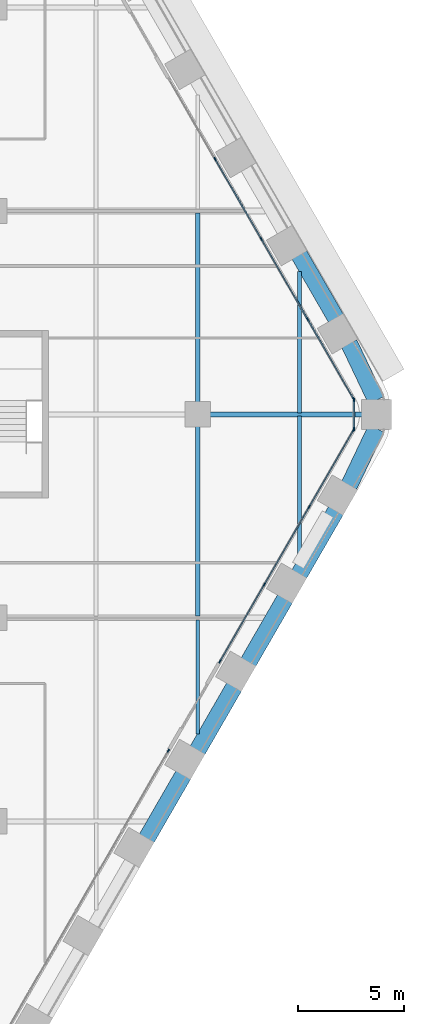
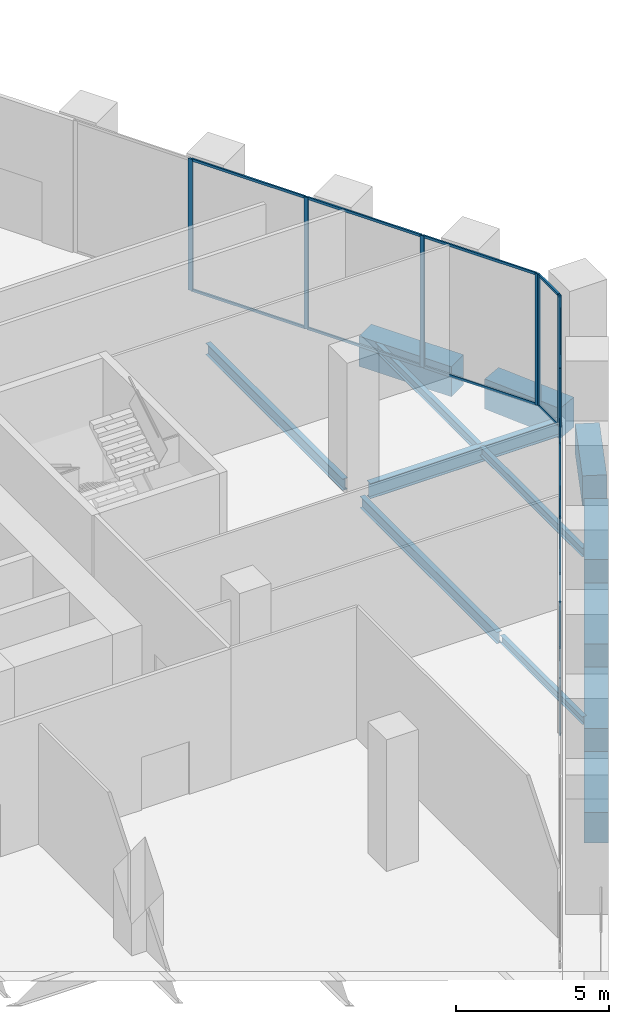
# One storey, part 11 of 27: 25 members, 13 beams, 4 elements without a shape of their own.
"""IFC4 building model written with IfcOpenShell, lengths in metres."""

from ifc_helpers import new_model, si_unit, direction, frame, origin, origin_2d, place, context, subcontext, project, spatial, rectangle, i_section, extrude, material, material_profile, profile_set, type_object, element, aggregate, save


model = new_model("IFC4")

# Units and contexts
model_context = context("Model", 3, precision=1e-05, world=origin(), true_north=direction((0.0, 1.0)))
body_context = subcontext(model_context, "Body", "Model", "MODEL_VIEW")
ifc_project = project(units=[si_unit("LENGTHUNIT", "METRE"), si_unit("AREAUNIT", "SQUARE_METRE"), si_unit("VOLUMEUNIT", "CUBIC_METRE"), si_unit("PLANEANGLEUNIT", "RADIAN"), si_unit("MASSUNIT", "GRAM", prefix="KILO")], contexts=[model_context])

# Site, building, storey
site_placement = place(None, origin())
site = spatial("IfcSite", under=ifc_project, at=site_placement, CompositionType="ELEMENT")
building_placement = place(site_placement, origin())
building = spatial("IfcBuilding", under=site, at=building_placement, Name="Kolab Exchange Tower", CompositionType="ELEMENT")
storey_placement = place(building_placement, frame((0.0, 0.0, 22.39990234375)))
storey = spatial("IfcBuildingStorey", under=building, at=storey_placement, Name="L04", CompositionType="ELEMENT", Elevation=22.39990234375)

# Beams
ifc_material_1 = material(Name="Steel S355", Category="steel")
ifc_material_profile_1 = material_profile(ifc_material_1, i_section(OverallWidth=0.1650390625, OverallDepth=0.31005859375, WebThickness=0.005859375, FlangeThickness=0.009765625, at=origin_2d()), Name="W310X39")
ifc_profile_set_1 = profile_set([ifc_material_profile_1], Name="Steel S355")
beam_type_1 = type_object("IfcBeamType", Name="FLOOR BEAM W310X39", PredefinedType="BEAM", material=ifc_profile_set_1)
beam_1_placement = place(storey_placement, frame((28.800048828125, -15.067626953125, -0.40478515625), z_axis=(0.0, 1.0, 0.0), x_axis=(-1.0, 0.0, 0.0)))
element("IfcBeam", 1, at=beam_1_placement, inside=storey, type_object=beam_type_1, Name="beam/L04/fr/058", PredefinedType="BEAM", context=body_context, shape_type="SweptSolid", body=[
    extrude(i_section(OverallWidth=0.1650390625, OverallDepth=0.31005859375, WebThickness=0.005859375, FlangeThickness=0.009765625, at=origin_2d()), origin(), (0.0, 0.0, 1.0), 5.3740234375),
])
ifc_material_profile_2 = material_profile(ifc_material_1, i_section(OverallWidth=0.1708984375, OverallDepth=0.35498046875, WebThickness=0.007080078125, FlangeThickness=0.01171875, at=origin_2d()), Name="W360X51")
ifc_profile_set_2 = profile_set([ifc_material_profile_2], Name="Steel S355")
beam_type_2 = type_object("IfcBeamType", Name="FLOOR BEAM W360X51", PredefinedType="BEAM", material=ifc_profile_set_2)
for number, where, z_axis, x_axis, name in (
    (2, (33.60009765625, -6.75390625, -0.427490234375), (0.0, 1.0, 0.0), (-1.0, 0.0, 0.0), "beam/L04/fr/062"),
    (3, (33.60009765625, 0.073974609375, -0.427490234375), (0.0, 1.0, 0.0), (-1.0, 0.0, 0.0), "beam/L04/fr/063"),
):
    element("IfcBeam", number, at=place(storey_placement, frame(where, z_axis=z_axis, x_axis=x_axis)), inside=storey, type_object=beam_type_2, Name=name, PredefinedType="BEAM", context=body_context, shape_type="SweptSolid", body=[
        extrude(i_section(OverallWidth=0.1708984375, OverallDepth=0.35498046875, WebThickness=0.007080078125, FlangeThickness=0.01171875, at=origin_2d()), origin(), (0.0, 0.0, 1.0), 6.679931640625),
    ])
ifc_material_profile_3 = material_profile(ifc_material_1, i_section(OverallWidth=0.18994140625, OverallDepth=0.45703125, WebThickness=0.009033203125, FlangeThickness=0.014404296875, at=origin_2d()), Name="W460X74")
ifc_profile_set_3 = profile_set([ifc_material_profile_3], Name="Steel S355")
beam_type_3 = type_object("IfcBeamType", Name="FLOOR BEAM W460X74", PredefinedType="BEAM", material=ifc_profile_set_3)
for number, where, z_axis, x_axis, name in (
    (4, (28.800048828125, -9.506591796875, -0.478515625), (0.0, 1.0, 0.0), (-1.0, 0.0, 0.0), "beam/L04/fr/059"),
    (5, (28.800048828125, 0.56005859375, -0.478515625), (0.0, 1.0, 0.0), (-1.0, 0.0, 0.0), "beam/L04/fr/060"),
):
    element("IfcBeam", number, at=place(storey_placement, frame(where, z_axis=z_axis, x_axis=x_axis)), inside=storey, type_object=beam_type_3, Name=name, PredefinedType="BEAM", context=body_context, shape_type="SweptSolid", body=[
        extrude(i_section(OverallWidth=0.18994140625, OverallDepth=0.45703125, WebThickness=0.009033203125, FlangeThickness=0.014404296875, at=origin_2d()), origin(), (0.0, 0.0, 1.0), 8.946533203125),
    ])
ifc_material_profile_4 = material_profile(ifc_material_1, i_section(OverallWidth=0.22802734375, OverallDepth=0.60791015625, WebThickness=0.01123046875, FlangeThickness=0.017333984375, at=origin_2d()), Name="W610X113")
ifc_profile_set_4 = profile_set([ifc_material_profile_4], Name="Steel S355")
beam_type_4 = type_object("IfcBeamType", Name="FLOOR GIRDER W610X113", PredefinedType="BEAM", material=ifc_profile_set_4)
beam_2_placement = place(storey_placement, frame((29.360107421875, 0.0, -0.553955078125), z_axis=(1.0, 0.0, 0.0), x_axis=(0.0, 1.0, 0.0)))
element("IfcBeam", 6, at=beam_2_placement, inside=storey, type_object=beam_type_4, Name="beam/L04/gd/025", PredefinedType="BEAM", context=body_context, shape_type="SweptSolid", body=[
    extrude(i_section(OverallWidth=0.22802734375, OverallDepth=0.60791015625, WebThickness=0.01123046875, FlangeThickness=0.017333984375, at=origin_2d()), origin(), (0.0, 0.0, 1.0), 7.2158203125),
])
ifc_material_2 = material(Name="Concrete C80/95", Category="concrete")
ifc_material_profile_5 = material_profile(ifc_material_2, rectangle(XDim=0.800048828125, YDim=1.199951171875, at=origin_2d()), Name="RC800X1200")
ifc_profile_set_5 = profile_set([ifc_material_profile_5], Name="Concrete C80/95")
beam_type_5 = type_object("IfcBeamType", Name="SPANDREL BEAM 800X1200 C80/95", PredefinedType="BEAM", material=ifc_profile_set_5)
beam_3_placement = place(storey_placement, frame((33.58349609375, 7.542236328125, -0.849853515625), z_axis=(0.500009906705, -0.86601968407, 0.0), x_axis=(0.86601968407, 0.500009906705, 0.0)))
element("IfcBeam", 7, at=beam_3_placement, inside=storey, type_object=beam_type_5, Name="beam/L04/sp/F2-07", PredefinedType="BEAM", context=body_context, shape_type="SweptSolid", body=[
    extrude(rectangle(XDim=0.800048828125, YDim=1.199951171875, at=origin_2d()), origin(), (0.0, 0.0, 1.0), 3.47998046875),
])
for number, where, z_axis, x_axis, name in (
    (8, (35.93798828125, 3.35888671875, -0.849853515625), (0.429555669245, -0.903040379507, 0.0), (0.903040379507, 0.429555669245, 0.0), "beam/L04/sp/F2-08"),
    (9, (37.219970703125, -0.663818359375, -0.849853515625), (-0.429555669245, -0.903040379507, 0.0), (0.903040379507, -0.429555669245, 0.0), "beam/L04/sp/F3-01"),
):
    element("IfcBeam", number, at=place(storey_placement, frame(where, z_axis=z_axis, x_axis=x_axis)), inside=storey, type_object=beam_type_5, Name=name, PredefinedType="BEAM", context=body_context, shape_type="SweptSolid", body=[
        extrude(rectangle(XDim=0.800048828125, YDim=1.199951171875, at=origin_2d()), origin(), (0.0, 0.0, 1.0), 2.984375),
    ])
beam_4_placement = place(storey_placement, frame((35.323486328125, -4.528564453125, -0.849853515625), z_axis=(-0.500009906705, -0.86601968407, 0.0), x_axis=(0.86601968407, -0.500009906705, 0.0)))
element("IfcBeam", 10, at=beam_4_placement, inside=storey, type_object=beam_type_5, Name="beam/L04/sp/F3-02", PredefinedType="BEAM", context=body_context, shape_type="SweptSolid", body=[
    extrude(rectangle(XDim=0.800048828125, YDim=1.199951171875, at=origin_2d()), origin(), (0.0, 0.0, 1.0), 3.47998046875),
])
for number, where, z_axis, x_axis, name in (
    (11, (32.923583984375, -8.685302734375, -0.849853515625), (-0.499979528911, -0.866037222451, 0.0), (0.866037222451, -0.499979528911, 0.0), "beam/L04/sp/F3-03"),
    (12, (30.523681640625, -12.84228515625, -0.849853515625), (-0.499979528911, -0.866037222451, 0.0), (0.866037222451, -0.499979528911, 0.0), "beam/L04/sp/F3-04"),
):
    element("IfcBeam", number, at=place(storey_placement, frame(where, z_axis=z_axis, x_axis=x_axis)), inside=storey, type_object=beam_type_5, Name=name, PredefinedType="BEAM", context=body_context, shape_type="SweptSolid", body=[
        extrude(rectangle(XDim=0.800048828125, YDim=1.199951171875, at=origin_2d()), origin(), (0.0, 0.0, 1.0), 3.480224609375),
    ])
beam_5_placement = place(storey_placement, frame((28.12353515625, -16.999267578125, -0.849853515625), z_axis=(-0.500009906705, -0.86601968407, 0.0), x_axis=(0.86601968407, -0.500009906705, 0.0)))
element("IfcBeam", 13, at=beam_5_placement, inside=storey, type_object=beam_type_5, Name="beam/L04/sp/F3-05", PredefinedType="BEAM", context=body_context, shape_type="SweptSolid", body=[
    extrude(rectangle(XDim=0.800048828125, YDim=1.199951171875, at=origin_2d()), origin(), (0.0, 0.0, 1.0), 3.47998046875),
])

# Curtain wall, members
ifc_material_3 = material(Name="Aluminium EN AW-6063 T6", Category="aluminium")
curtain_wall_type = type_object("IfcCurtainWallType", Name="UNITISED LOW ZONE CURTAIN WALL", PredefinedType="NOTDEFINED", material=ifc_material_3)
curtain_wall_1_placement = place(storey_placement, origin())
curtain_wall_1 = element("IfcCurtainWall", 14, at=curtain_wall_1_placement, inside=storey, type_object=curtain_wall_type, Name="cw/L04/F2-2", PredefinedType="NOTDEFINED")
ifc_material_profile_6 = material_profile(ifc_material_3, rectangle(XDim=0.06005859375, YDim=0.159912109375, at=origin_2d()), Name="RECT 60X160")
ifc_profile_set_6 = profile_set([ifc_material_profile_6], Name="Aluminium EN AW-6063 T6")
member_type_1 = type_object("IfcMemberType", Name="UNITISED LOW ZONE MULLION 60 X 160", PredefinedType="MULLION", material=ifc_profile_set_6)
member_1_placement = place(storey_placement, frame((29.615234375, 12.0556640625, 0.0), z_axis=(0.0, 0.0, 1.0), x_axis=(0.866025422102, 0.499999968274, 0.0)))
member_1 = element("IfcMember", 15, at=member_1_placement, type_object=member_type_1, Name="CW1 mullion 2", PredefinedType="MULLION", context=body_context, shape_type="SweptSolid", body=[
    extrude(rectangle(XDim=0.06005859375, YDim=0.159912109375, at=origin_2d()), origin(), (0.0, 0.0, 1.0), 5.25),
])
member_2_placement = place(storey_placement, frame((31.798583984375, 8.27392578125, 0.0), z_axis=(0.0, 0.0, 1.0), x_axis=(0.866025422102, 0.499999968274, 0.0)))
member_2 = element("IfcMember", 16, at=member_2_placement, type_object=member_type_1, Name="CW1 mullion 3", PredefinedType="MULLION", context=body_context, shape_type="SweptSolid", body=[
    extrude(rectangle(XDim=0.06005859375, YDim=0.159912109375, at=origin_2d()), origin(), (0.0, 0.0, 1.0), 5.25),
])
member_3_placement = place(storey_placement, frame((33.982177734375, 4.491943359375, 0.0), z_axis=(0.0, 0.0, 1.0), x_axis=(0.866025422102, 0.499999968274, 0.0)))
member_3 = element("IfcMember", 17, at=member_3_placement, type_object=member_type_1, Name="CW1 mullion 4", PredefinedType="MULLION", context=body_context, shape_type="SweptSolid", body=[
    extrude(rectangle(XDim=0.06005859375, YDim=0.159912109375, at=origin_2d()), origin(), (0.0, 0.0, 1.0), 5.25),
])
member_4_placement = place(storey_placement, frame((36.150634765625, 0.736083984375, 0.0), z_axis=(0.0, 0.0, 1.0), x_axis=(0.866025422102, 0.499999968274, 0.0)))
member_4 = element("IfcMember", 18, at=member_4_placement, type_object=member_type_1, Name="CW1 mullion 5", PredefinedType="MULLION", context=body_context, shape_type="SweptSolid", body=[
    extrude(rectangle(XDim=0.06005859375, YDim=0.159912109375, at=origin_2d()), origin(), (0.0, 0.0, 1.0), 5.25),
])

curtain_wall_2_placement = place(storey_placement, origin())
curtain_wall_2 = element("IfcCurtainWall", 19, at=curtain_wall_2_placement, inside=storey, type_object=curtain_wall_type, Name="cw/L04/F3-1", PredefinedType="NOTDEFINED")
member_5_placement = place(storey_placement, frame((36.150634765625, -0.736083984375, 0.0), z_axis=(0.0, 0.0, 1.0), x_axis=(0.866025427826, -0.499999958358, 0.0)))
member_5 = element("IfcMember", 20, at=member_5_placement, type_object=member_type_1, Name="CW1 mullion 1", PredefinedType="MULLION", context=body_context, shape_type="SweptSolid", body=[
    extrude(rectangle(XDim=0.06005859375, YDim=0.159912109375, at=origin_2d()), origin(), (0.0, 0.0, 1.0), 5.25),
])
member_6_placement = place(storey_placement, frame((34.054443359375, -4.366943359375, 0.0), z_axis=(0.0, 0.0, 1.0), x_axis=(0.866025427826, -0.499999958358, 0.0)))
member_6 = element("IfcMember", 21, at=member_6_placement, type_object=member_type_1, Name="CW1 mullion 2", PredefinedType="MULLION", context=body_context, shape_type="SweptSolid", body=[
    extrude(rectangle(XDim=0.06005859375, YDim=0.159912109375, at=origin_2d()), origin(), (0.0, 0.0, 1.0), 5.25),
])
member_7_placement = place(storey_placement, frame((31.943115234375, -8.02392578125, 0.0), z_axis=(0.0, 0.0, 1.0), x_axis=(0.866025427826, -0.499999958358, 0.0)))
member_7 = element("IfcMember", 22, at=member_7_placement, type_object=member_type_1, Name="CW1 mullion 3", PredefinedType="MULLION", context=body_context, shape_type="SweptSolid", body=[
    extrude(rectangle(XDim=0.06005859375, YDim=0.159912109375, at=origin_2d()), origin(), (0.0, 0.0, 1.0), 5.25),
])
member_8_placement = place(storey_placement, frame((29.8466796875, -11.65478515625, 0.0), z_axis=(0.0, 0.0, 1.0), x_axis=(0.866025427826, -0.499999958358, 0.0)))
member_8 = element("IfcMember", 23, at=member_8_placement, type_object=member_type_1, Name="CW1 mullion 4", PredefinedType="MULLION", context=body_context, shape_type="SweptSolid", body=[
    extrude(rectangle(XDim=0.06005859375, YDim=0.159912109375, at=origin_2d()), origin(), (0.0, 0.0, 1.0), 5.25),
])

# Curtain wall, member
curtain_wall_3_placement = place(storey_placement, origin())
curtain_wall_3 = element("IfcCurtainWall", 24, at=curtain_wall_3_placement, inside=storey, type_object=curtain_wall_type, Name="cw/L04/F3-2", PredefinedType="NOTDEFINED")
member_9_placement = place(storey_placement, frame((27.416748046875, -15.86376953125, 0.0), z_axis=(0.0, 0.0, 1.0), x_axis=(0.866025397318, -0.5000000112, 0.0)))
member_9 = element("IfcMember", 25, at=member_9_placement, type_object=member_type_1, Name="CW1 mullion 1", PredefinedType="MULLION", context=body_context, shape_type="SweptSolid", body=[
    extrude(rectangle(XDim=0.06005859375, YDim=0.159912109375, at=origin_2d()), origin(), (0.0, 0.0, 1.0), 5.25),
])
aggregate(curtain_wall_3, [member_9])

# Curtain wall, members
curtain_wall_4_placement = place(storey_placement, origin())
curtain_wall_4 = element("IfcCurtainWall", 26, at=curtain_wall_4_placement, inside=storey, type_object=curtain_wall_type, Name="cw/L04/F2F3-corner", PredefinedType="NOTDEFINED")
member_10_placement = place(storey_placement, frame((36.165771484375, 0.679931640625, 0.0), z_axis=(0.0, 0.0, 1.0), x_axis=(1.0, 0.0, 0.0)))
member_10 = element("IfcMember", 27, at=member_10_placement, type_object=member_type_1, Name="CW1 mullion 1", PredefinedType="MULLION", context=body_context, shape_type="SweptSolid", body=[
    extrude(rectangle(XDim=0.06005859375, YDim=0.159912109375, at=origin_2d()), origin(), (0.0, 0.0, 1.0), 5.25),
])
member_11_placement = place(storey_placement, frame((36.165771484375, -0.679931640625, 0.0), z_axis=(0.0, 0.0, 1.0), x_axis=(1.0, 0.0, 0.0)))
member_11 = element("IfcMember", 28, at=member_11_placement, type_object=member_type_1, Name="CW1 mullion 2", PredefinedType="MULLION", context=body_context, shape_type="SweptSolid", body=[
    extrude(rectangle(XDim=0.06005859375, YDim=0.159912109375, at=origin_2d()), origin(), (0.0, 0.0, 1.0), 5.25),
])

# Member
ifc_material_profile_7 = material_profile(ifc_material_3, rectangle(XDim=0.06005859375, YDim=0.10009765625, at=origin_2d()), Name="RECT 60X100")
ifc_profile_set_7 = profile_set([ifc_material_profile_7], Name="Aluminium EN AW-6063 T6")
member_type_2 = type_object("IfcMemberType", Name="UNITISED LOW ZONE TRANSOM 60 X 100", PredefinedType="USERDEFINED", material=ifc_profile_set_7)
member_12_placement = place(storey_placement, frame((29.630126953125, 12.02978515625, 0.030029296875), z_axis=(0.500010313095, -0.866019449435, 0.0), x_axis=(0.866019449435, 0.500010313095, 0.0)))
member_12 = element("IfcMember", 29, at=member_12_placement, type_object=member_type_2, Name="CW1 transom 2.1", ObjectType="TRANSOM", PredefinedType="USERDEFINED", context=body_context, shape_type="SweptSolid", body=[
    extrude(rectangle(XDim=0.06005859375, YDim=0.10009765625, at=origin_2d()), origin(), (0.0, 0.0, 1.0), 4.30712890625),
])

member_13_placement = place(storey_placement, frame((29.630126953125, 12.02978515625, 5.22021484375), z_axis=(0.500010313095, -0.866019449435, 0.0), x_axis=(0.866019449435, 0.500010313095, 0.0)))
member_13 = element("IfcMember", 30, at=member_13_placement, type_object=member_type_2, Name="CW1 transom 2.2", ObjectType="TRANSOM", PredefinedType="USERDEFINED", context=body_context, shape_type="SweptSolid", body=[
    extrude(rectangle(XDim=0.06005859375, YDim=0.10009765625, at=origin_2d()), origin(), (0.0, 0.0, 1.0), 4.30712890625),
])

member_14_placement = place(storey_placement, frame((31.813720703125, 8.247802734375, 0.030029296875), z_axis=(0.499967798808, -0.866043994353, 0.0), x_axis=(0.866043994353, 0.499967798808, 0.0)))
member_14 = element("IfcMember", 31, at=member_14_placement, type_object=member_type_2, Name="CW1 transom 3.1", ObjectType="TRANSOM", PredefinedType="USERDEFINED", context=body_context, shape_type="SweptSolid", body=[
    extrude(rectangle(XDim=0.06005859375, YDim=0.10009765625, at=origin_2d()), origin(), (0.0, 0.0, 1.0), 4.306884765625),
])

member_15_placement = place(storey_placement, frame((31.813720703125, 8.247802734375, 5.22021484375), z_axis=(0.499967798808, -0.866043994353, 0.0), x_axis=(0.866043994353, 0.499967798808, 0.0)))
member_15 = element("IfcMember", 32, at=member_15_placement, type_object=member_type_2, Name="CW1 transom 3.2", ObjectType="TRANSOM", PredefinedType="USERDEFINED", context=body_context, shape_type="SweptSolid", body=[
    extrude(rectangle(XDim=0.06005859375, YDim=0.10009765625, at=origin_2d()), origin(), (0.0, 0.0, 1.0), 4.306884765625),
])

member_16_placement = place(storey_placement, frame((33.9970703125, 4.4658203125, 0.030029296875), z_axis=(0.500043627578, -0.866000213925, 0.0), x_axis=(0.866000213925, 0.500043627578, 0.0)))
member_16 = element("IfcMember", 33, at=member_16_placement, type_object=member_type_2, Name="CW1 transom 4.1", ObjectType="TRANSOM", PredefinedType="USERDEFINED", context=body_context, shape_type="SweptSolid", body=[
    extrude(rectangle(XDim=0.06005859375, YDim=0.10009765625, at=origin_2d()), origin(), (0.0, 0.0, 1.0), 4.27685546875),
])

member_17_placement = place(storey_placement, frame((33.9970703125, 4.4658203125, 5.22021484375), z_axis=(0.500043627578, -0.866000213925, 0.0), x_axis=(0.866000213925, 0.500043627578, 0.0)))
member_17 = element("IfcMember", 34, at=member_17_placement, type_object=member_type_2, Name="CW1 transom 4.2", ObjectType="TRANSOM", PredefinedType="USERDEFINED", context=body_context, shape_type="SweptSolid", body=[
    extrude(rectangle(XDim=0.06005859375, YDim=0.10009765625, at=origin_2d()), origin(), (0.0, 0.0, 1.0), 4.27685546875),
])

aggregate(curtain_wall_1, [member_1, member_2, member_3, member_4, member_12, member_13, member_14, member_15, member_16, member_17])

member_18_placement = place(storey_placement, frame((36.1357421875, -0.761962890625, 0.030029296875), z_axis=(-0.500027577057, -0.866009481578, 0.0), x_axis=(0.866009481578, -0.500027577057, 0.0)))
member_18 = element("IfcMember", 35, at=member_18_placement, type_object=member_type_2, Name="CW1 transom 1.1", ObjectType="TRANSOM", PredefinedType="USERDEFINED", context=body_context, shape_type="SweptSolid", body=[
    extrude(rectangle(XDim=0.06005859375, YDim=0.10009765625, at=origin_2d()), origin(), (0.0, 0.0, 1.0), 4.132568359375),
])

member_19_placement = place(storey_placement, frame((36.1357421875, -0.761962890625, 5.22021484375), z_axis=(-0.500027577057, -0.866009481578, 0.0), x_axis=(0.866009481578, -0.500027577057, 0.0)))
member_19 = element("IfcMember", 36, at=member_19_placement, type_object=member_type_2, Name="CW1 transom 1.2", ObjectType="TRANSOM", PredefinedType="USERDEFINED", context=body_context, shape_type="SweptSolid", body=[
    extrude(rectangle(XDim=0.06005859375, YDim=0.10009765625, at=origin_2d()), origin(), (0.0, 0.0, 1.0), 4.132568359375),
])

member_20_placement = place(storey_placement, frame((34.039306640625, -4.392822265625, 0.030029296875), z_axis=(-0.49999322259, -0.866029316688, 0.0), x_axis=(0.866029316688, -0.49999322259, 0.0)))
member_20 = element("IfcMember", 37, at=member_20_placement, type_object=member_type_2, Name="CW1 transom 2.1", ObjectType="TRANSOM", PredefinedType="USERDEFINED", context=body_context, shape_type="SweptSolid", body=[
    extrude(rectangle(XDim=0.06005859375, YDim=0.10009765625, at=origin_2d()), origin(), (0.0, 0.0, 1.0), 4.16259765625),
])

member_21_placement = place(storey_placement, frame((34.039306640625, -4.392822265625, 5.22021484375), z_axis=(-0.49999322259, -0.866029316688, 0.0), x_axis=(0.866029316688, -0.49999322259, 0.0)))
member_21 = element("IfcMember", 38, at=member_21_placement, type_object=member_type_2, Name="CW1 transom 2.2", ObjectType="TRANSOM", PredefinedType="USERDEFINED", context=body_context, shape_type="SweptSolid", body=[
    extrude(rectangle(XDim=0.06005859375, YDim=0.10009765625, at=origin_2d()), origin(), (0.0, 0.0, 1.0), 4.16259765625),
])

member_22_placement = place(storey_placement, frame((31.927978515625, -8.0498046875, 0.030029296875), z_axis=(-0.500001996123, -0.866024251319, 0.0), x_axis=(0.866024251319, -0.500001996123, 0.0)))
member_22 = element("IfcMember", 39, at=member_22_placement, type_object=member_type_2, Name="CW1 transom 3.1", ObjectType="TRANSOM", PredefinedType="USERDEFINED", context=body_context, shape_type="SweptSolid", body=[
    extrude(rectangle(XDim=0.06005859375, YDim=0.10009765625, at=origin_2d()), origin(), (0.0, 0.0, 1.0), 4.1328125),
])

member_23_placement = place(storey_placement, frame((31.927978515625, -8.0498046875, 5.22021484375), z_axis=(-0.500001996123, -0.866024251319, 0.0), x_axis=(0.866024251319, -0.500001996123, 0.0)))
member_23 = element("IfcMember", 40, at=member_23_placement, type_object=member_type_2, Name="CW1 transom 3.2", ObjectType="TRANSOM", PredefinedType="USERDEFINED", context=body_context, shape_type="SweptSolid", body=[
    extrude(rectangle(XDim=0.06005859375, YDim=0.10009765625, at=origin_2d()), origin(), (0.0, 0.0, 1.0), 4.1328125),
])

aggregate(curtain_wall_2, [member_5, member_6, member_7, member_8, member_18, member_19, member_20, member_21, member_22, member_23])

member_24_placement = place(storey_placement, frame((36.165771484375, 0.64990234375, 0.030029296875), z_axis=(0.0, -1.0, 0.0), x_axis=(1.0, 0.0, 0.0)))
member_24 = element("IfcMember", 41, at=member_24_placement, type_object=member_type_2, Name="CW1 transom 1.1", ObjectType="TRANSOM", PredefinedType="USERDEFINED", context=body_context, shape_type="SweptSolid", body=[
    extrude(rectangle(XDim=0.06005859375, YDim=0.10009765625, at=origin_2d()), origin(), (0.0, 0.0, 1.0), 1.2998046875),
])

member_25_placement = place(storey_placement, frame((36.165771484375, 0.64990234375, 5.22021484375), z_axis=(0.0, -1.0, 0.0), x_axis=(1.0, 0.0, 0.0)))
member_25 = element("IfcMember", 42, at=member_25_placement, type_object=member_type_2, Name="CW1 transom 1.2", ObjectType="TRANSOM", PredefinedType="USERDEFINED", context=body_context, shape_type="SweptSolid", body=[
    extrude(rectangle(XDim=0.06005859375, YDim=0.10009765625, at=origin_2d()), origin(), (0.0, 0.0, 1.0), 1.2998046875),
])

aggregate(curtain_wall_4, [member_10, member_11, member_24, member_25])

save(model, "model.ifc")
